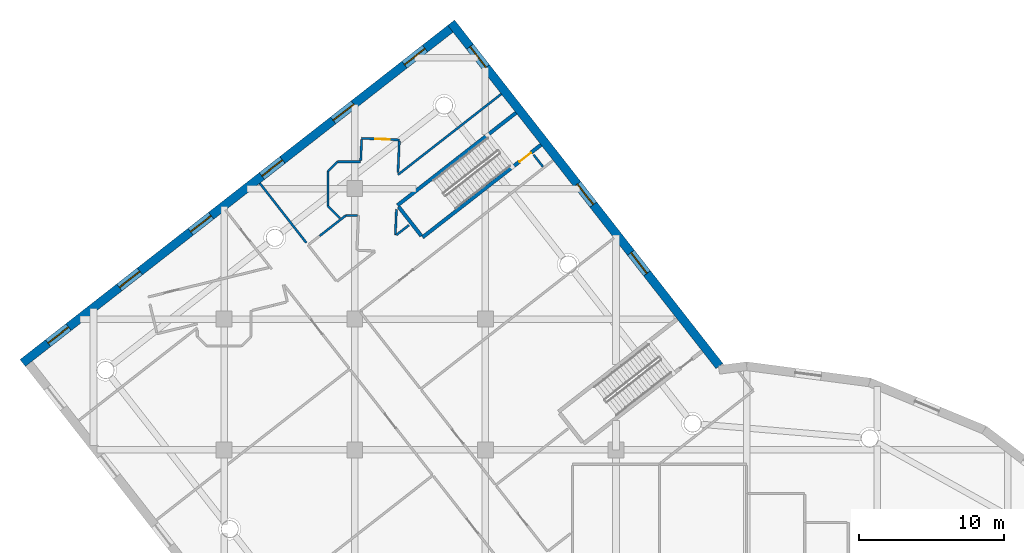
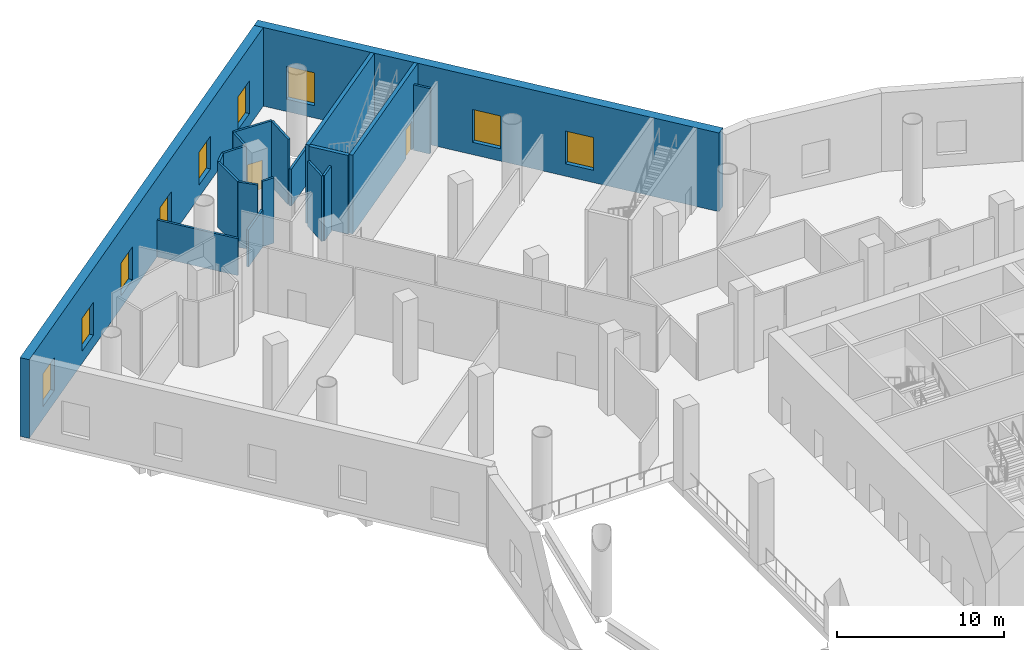
# One storey, part 10 of 24: 19 walls, 9 windows, 2 doors, 11 openings.
"""IFC4 building model written with IfcOpenShell, lengths in metres."""

from ifc_helpers import new_model, si_unit, direction, frame, frame_2d, origin, place, context, subcontext, project, spatial, rectangle, extrude, material, layer, layer_set, type_object, element, fill, save


model = new_model("IFC4")

# Units and contexts
model_context = context("Model", 3, precision=1e-05, world=origin(), true_north=direction((0.0, 1.0)))
body_context = subcontext(model_context, "Body", "Model", "MODEL_VIEW")
ifc_project = project(units=[si_unit("LENGTHUNIT", "METRE"), si_unit("AREAUNIT", "SQUARE_METRE"), si_unit("VOLUMEUNIT", "CUBIC_METRE"), si_unit("PLANEANGLEUNIT", "RADIAN"), si_unit("MASSUNIT", "GRAM", prefix="KILO")], contexts=[model_context])

# Site, building, storey
site_placement = place(None, origin())
site = spatial("IfcSite", under=ifc_project, at=site_placement, CompositionType="ELEMENT")
building_placement = place(site_placement, origin())
building = spatial("IfcBuilding", under=site, at=building_placement, Name="Tarsis Ring Headquarters", CompositionType="ELEMENT")
storey_placement = place(building_placement, frame((0.0, 0.0, 8.0)))
storey = spatial("IfcBuildingStorey", under=building, at=storey_placement, Name="L01", CompositionType="ELEMENT", Elevation=8.0)

# Walls
ifc_material_1 = material(Name="Plasterboard partition")
ifc_layer_1 = layer(ifc_material_1, 0.14990234375)
ifc_layer_set_1 = layer_set([ifc_layer_1], Name="PO-PW150")
wall_type_1 = type_object("IfcWallType", Name="PO-PW150", PredefinedType="PARTITIONING", material=ifc_layer_set_1)
wall_1_placement = place(storey_placement, frame((-24.02685546875, 45.947998046875, 0.0), z_axis=(0.0, 0.0, 1.0), x_axis=(0.788008823114, 0.615663946236, 0.0)))
element("IfcWall", 1, at=wall_1_placement, inside=storey, type_object=wall_type_1, Name="L01 partition wall 28", PredefinedType="PARTITIONING", context=body_context, shape_type="SweptSolid", body=[
    extrude(rectangle(XDim=9.044921875, YDim=0.14990234375, at=frame_2d((4.5224609375, 0.0))), origin(), (0.0, 0.0, 1.0), 2.699951171875),
])
wall_2_placement = place(storey_placement, frame((-30.337158203125, 41.264404296875, 0.0), z_axis=(0.0, 0.0, 1.0), x_axis=(-0.615634030884, 0.788032194785, 0.0)))
element("IfcWall", 2, at=wall_2_placement, inside=storey, type_object=wall_type_1, Name="L01 partition wall 54", PredefinedType="PARTITIONING", context=body_context, shape_type="SweptSolid", body=[
    extrude(rectangle(XDim=5.205810546875, YDim=0.14990234375, at=frame_2d((2.60302734375, 0.0))), origin(), (0.0, 0.0, 1.0), 2.699951171875),
])
wall_3_placement = place(storey_placement, frame((-27.608154296875, 43.14990234375, 0.0), z_axis=(0.0, 0.0, 1.0), x_axis=(-0.78805175681, -0.615608990017, 0.0)))
element("IfcWall", 3, at=wall_3_placement, inside=storey, type_object=wall_type_1, Name="L01 partition wall 87", PredefinedType="PARTITIONING", context=body_context, shape_type="SweptSolid", body=[
    extrude(rectangle(XDim=2.2978515625, YDim=0.14990234375, at=frame_2d((1.14892578125, 0.0))), origin(), (0.0, 0.0, 1.0), 2.699951171875),
])

# Wall, opening, door
ifc_layer_2 = layer(ifc_material_1, 0.14990234375)
ifc_layer_set_2 = layer_set([ifc_layer_2], Name="PO-PW150R-4783")
wall_type_2 = type_object("IfcWallType", Name="PO-PW150R-4783", PredefinedType="PARTITIONING", material=ifc_layer_set_2)
wall_4_placement = place(storey_placement, frame((-26.5234375, 48.461669921875, 0.0), z_axis=(0.0, 0.0, 1.0), x_axis=(0.999114750297, -0.042067989486, 0.0)))
wall_4 = element("IfcWall", 4, at=wall_4_placement, inside=storey, type_object=wall_type_2, Name="L01 partition wall 81", PredefinedType="PARTITIONING", context=body_context, shape_type="SweptSolid", body=[
    extrude(rectangle(XDim=2.599853515625, YDim=0.14990234375, at=frame_2d((1.2998046875, 0.0))), origin(), (0.0, 0.0, 1.0), 4.782958984375),
])
opening_1_placement = place(wall_4_placement, frame((0.9267578125, 0.0, 0.0)))
opening_1 = element("IfcOpeningElement", 5, at=opening_1_placement, cuts=wall_4, Name="Opening PO-D1", PredefinedType="OPENING", context=body_context, shape_type="SweptSolid", body=[
    extrude(rectangle(XDim=1.0, YDim=2.10009765625, at=frame_2d((0.5, 1.050048828125))), frame((0.0, 0.0849609375, 0.0), z_axis=(0.0, -1.0, 0.0), x_axis=(1.0, 0.0, 0.0)), (0.0, 0.0, 1.0), 0.169921875),
])
ifc_material_2 = material(Name="Timber door", Category="wood")
door_type_1 = type_object("IfcDoorType", Name="PO-D1000", OperationType="NOTDEFINED", PredefinedType="DOOR", material=ifc_material_2)
door_1_placement = place(opening_1_placement, origin())
door_1 = element("IfcDoor", 6, at=door_1_placement, inside=storey, type_object=door_type_1, Name="Servery door", OperationType="SINGLE_SWING_LEFT", OverallHeight=2.10009765625, OverallWidth=1.0, PredefinedType="DOOR", context=body_context, shape_type="SweptSolid", body=[
    extrude(rectangle(XDim=1.0, YDim=2.10009765625, at=frame_2d((0.5, 1.050048828125))), frame((0.0, 0.02490234375, 0.0), z_axis=(0.0, -1.0, 0.0), x_axis=(1.0, 0.0, 0.0)), (0.0, 0.0, 1.0), 0.050048828125),
])
fill(opening_1, door_1)

# Walls
wall_5_placement = place(storey_placement, frame((-23.92919921875, 48.272216796875, 0.0), z_axis=(0.0, 0.0, 1.0), x_axis=(-0.042007311823, -0.9991173033, 0.0)))
element("IfcWall", 7, at=wall_5_placement, inside=storey, type_object=wall_type_2, Name="L01 partition wall 82", PredefinedType="PARTITIONING", context=body_context, shape_type="SweptSolid", body=[
    extrude(rectangle(XDim=2.15625, YDim=0.14990234375, at=frame_2d((1.078125, 0.0))), origin(), (0.0, 0.0, 1.0), 4.782958984375),
])
wall_6_placement = place(storey_placement, frame((-28.85009765625, 43.800048828125, 0.0), z_axis=(0.0, 0.0, 1.0), x_axis=(0.0, 1.0, 0.0)))
element("IfcWall", 8, at=wall_6_placement, inside=storey, type_object=wall_type_2, Name="L01 partition wall 85", PredefinedType="PARTITIONING", context=body_context, shape_type="SweptSolid", body=[
    extrude(rectangle(XDim=2.39990234375, YDim=0.14990234375, at=frame_2d((1.199951171875, 0.0))), origin(), (0.0, 0.0, 1.0), 4.782958984375),
])
wall_7_placement = place(storey_placement, frame((-24.126953125, 43.5732421875, 0.0), z_axis=(0.0, 0.0, 1.0), x_axis=(-0.042065100552, -0.999114871932, 0.0)))
element("IfcWall", 9, at=wall_7_placement, inside=storey, type_object=wall_type_2, Name="L01 partition wall 98", PredefinedType="PARTITIONING", context=body_context, shape_type="SweptSolid", body=[
    extrude(rectangle(XDim=1.77587890625, YDim=0.14990234375, at=frame_2d((0.887939453125, 0.0))), origin(), (0.0, 0.0, 1.0), 4.782958984375),
])
wall_8_placement = place(storey_placement, frame((-26.587890625, 46.929931640625, 0.0), z_axis=(0.0, 0.0, 1.0), x_axis=(0.042007958128, 0.999117276126, 0.0)))
element("IfcWall", 10, at=wall_8_placement, inside=storey, type_object=wall_type_2, Name="L01 partition wall 100", PredefinedType="PARTITIONING", context=body_context, shape_type="SweptSolid", body=[
    extrude(rectangle(XDim=1.452880859375, YDim=0.14990234375, at=frame_2d((0.7265625, 0.0))), origin(), (0.0, 0.0, 1.0), 4.782958984375),
])
wall_9_placement = place(storey_placement, frame((-28.199951171875, 46.85009765625, 0.0), z_axis=(0.0, 0.0, 1.0), x_axis=(1.0, 0.0, 0.0)))
element("IfcWall", 11, at=wall_9_placement, inside=storey, type_object=wall_type_2, Name="L01 partition wall 101", PredefinedType="PARTITIONING", context=body_context, shape_type="SweptSolid", body=[
    extrude(rectangle(XDim=1.608642578125, YDim=0.14990234375, at=frame_2d((0.80419921875, 0.0))), origin(), (0.0, 0.0, 1.0), 4.782958984375),
])
wall_10_placement = place(storey_placement, frame((-28.004150390625, 42.9541015625, 0.0), z_axis=(0.0, 0.0, 1.0), x_axis=(-0.707106781187, 0.707106781187, 0.0)))
element("IfcWall", 12, at=wall_10_placement, inside=storey, type_object=wall_type_2, Name="L01 partition wall 105", PredefinedType="PARTITIONING", context=body_context, shape_type="SweptSolid", body=[
    extrude(rectangle(XDim=1.1962890625, YDim=0.14990234375, at=frame_2d((0.59814453125, 0.0))), origin(), (0.0, 0.0, 1.0), 4.782958984375),
])
wall_11_placement = place(storey_placement, frame((-14.677734375, 47.328857421875, 0.0), z_axis=(0.0, 0.0, 1.0), x_axis=(0.615558650251, -0.788091078557, 0.0)))
element("IfcWall", 13, at=wall_11_placement, inside=storey, type_object=wall_type_2, Name="L01 partition wall 111", PredefinedType="PARTITIONING", context=body_context, shape_type="SweptSolid", body=[
    extrude(rectangle(XDim=1.05419921875, YDim=0.14990234375, at=frame_2d((0.527099609375, 0.0))), origin(), (0.0, 0.0, 1.0), 4.782958984375),
])
wall_12_placement = place(storey_placement, frame((-24.141845703125, 41.794677734375, 0.0), z_axis=(0.0, 0.0, 1.0), x_axis=(0.788031066734, 0.615635474824, 0.0)))
element("IfcWall", 14, at=wall_12_placement, inside=storey, type_object=wall_type_2, Name="L01 partition wall 113", PredefinedType="PARTITIONING", context=body_context, shape_type="SweptSolid", body=[
    extrude(rectangle(XDim=1.10595703125, YDim=0.14990234375, at=frame_2d((0.552978515625, 0.0))), origin(), (0.0, 0.0, 1.0), 4.782958984375),
])
wall_13_placement = place(storey_placement, frame((-28.85009765625, 46.199951171875, 0.0), z_axis=(0.0, 0.0, 1.0), x_axis=(0.707106781187, 0.707106781187, 0.0)))
element("IfcWall", 15, at=wall_13_placement, inside=storey, type_object=wall_type_2, Name="L01 partition wall 117", PredefinedType="PARTITIONING", context=body_context, shape_type="SweptSolid", body=[
    extrude(rectangle(XDim=0.91943359375, YDim=0.14990234375, at=frame_2d((0.459716796875, 0.0))), origin(), (0.0, 0.0, 1.0), 4.782958984375),
])
wall_14_placement = place(storey_placement, frame((-26.8271484375, 43.14990234375, 0.0), z_axis=(0.0, 0.0, 1.0), x_axis=(-1.0, 0.0, 0.0)))
element("IfcWall", 16, at=wall_14_placement, inside=storey, type_object=wall_type_2, Name="L01 partition wall 119", PredefinedType="PARTITIONING", context=body_context, shape_type="SweptSolid", body=[
    extrude(rectangle(XDim=0.781005859375, YDim=0.14990234375, at=frame_2d((0.390625, 0.0))), origin(), (0.0, 0.0, 1.0), 4.782958984375),
])

# Wall, opening, door
ifc_material_3 = material(Name="Concrete C40/50", Category="concrete")
ifc_layer_3 = layer(ifc_material_3, 0.25)
ifc_layer_set_3 = layer_set([ifc_layer_3], Name="PO-W250")
wall_type_3 = type_object("IfcWallType", Name="PO-W250", PredefinedType="SOLIDWALL", material=ifc_layer_set_3)
wall_15_placement = place(storey_placement, frame((-14.163818359375, 48.015380859375, 0.0), z_axis=(0.0, 0.0, 1.0), x_axis=(-0.788278990398, -0.61531799364, 0.0)))
wall_15 = element("IfcWall", 17, at=wall_15_placement, inside=storey, type_object=wall_type_3, Name="L01 shaft wall 18", PredefinedType="SOLIDWALL", context=body_context, shape_type="SweptSolid", body=[
    extrude(rectangle(XDim=10.362060546875, YDim=0.25, at=frame_2d((5.18115234375, 0.0))), origin(), (0.0, 0.0, 1.0), 5.75),
])
opening_2_placement = place(wall_15_placement, frame((0.89697265625, 0.0, 0.0)))
opening_2 = element("IfcOpeningElement", 18, at=opening_2_placement, cuts=wall_15, Name="Opening PO-D3", PredefinedType="OPENING", context=body_context, shape_type="SweptSolid", body=[
    extrude(rectangle(XDim=1.0, YDim=2.10009765625, at=frame_2d((0.5, 1.050048828125))), frame((0.0, 0.135009765625, 0.0), z_axis=(0.0, -1.0, 0.0), x_axis=(1.0, 0.0, 0.0)), (0.0, 0.0, 1.0), 0.27001953125),
])
ifc_material_4 = material(Name="Steel fire door", Category="steel")
door_type_2 = type_object("IfcDoorType", Name="PO-D1000F", OperationType="SINGLE_SWING_LEFT", PredefinedType="DOOR", material=ifc_material_4)
door_2_placement = place(opening_2_placement, origin())
door_2 = element("IfcDoor", 19, at=door_2_placement, inside=storey, type_object=door_type_2, Name="Exit stair 4 door", OperationType="SINGLE_SWING_LEFT", OverallHeight=2.10009765625, OverallWidth=1.0, PredefinedType="DOOR", context=body_context, shape_type="SweptSolid", body=[
    extrude(rectangle(XDim=1.0, YDim=2.10009765625, at=frame_2d((0.5, 1.050048828125))), frame((0.0, 0.02490234375, 0.0), z_axis=(0.0, -1.0, 0.0), x_axis=(1.0, 0.0, 0.0)), (0.0, 0.0, 1.0), 0.050048828125),
])
fill(opening_2, door_2)

# Walls
wall_16_placement = place(storey_placement, frame((-24.054931640625, 43.8466796875, 0.0), z_axis=(0.0, 0.0, 1.0), x_axis=(0.788277592166, 0.615319784899, 0.0)))
element("IfcWall", 20, at=wall_16_placement, inside=storey, type_object=wall_type_3, Name="L01 shaft wall 19", PredefinedType="SOLIDWALL", context=body_context, shape_type="SweptSolid", body=[
    extrude(rectangle(XDim=10.36083984375, YDim=0.25, at=frame_2d((5.180419921875, 0.0))), origin(), (0.0, 0.0, 1.0), 5.75),
])
wall_17_placement = place(storey_placement, frame((-22.412109375, 41.741943359375, 0.0), z_axis=(0.0, 0.0, 1.0), x_axis=(-0.615283967859, 0.788305549197, 0.0)))
element("IfcWall", 21, at=wall_17_placement, inside=storey, type_object=wall_type_3, Name="L01 shaft wall 78", PredefinedType="SOLIDWALL", context=body_context, shape_type="SweptSolid", body=[
    extrude(rectangle(XDim=2.539794921875, YDim=0.25, at=frame_2d((1.27001953125, 0.0))), origin(), (0.0, 0.0, 1.0), 5.75),
])

# Wall, openings, windows
ifc_material_5 = material(Name="Concrete C60/75", Category="concrete")
ifc_layer_4 = layer(ifc_material_5, 0.60009765625)
ifc_layer_set_4 = layer_set([ifc_layer_4], Name="PO-W600")
wall_type_4 = type_object("IfcWallType", Name="PO-W600", PredefinedType="SOLIDWALL", material=ifc_layer_set_4)
wall_18_placement = place(storey_placement, frame((-1.87353515625, 32.77197265625, 0.0), z_axis=(0.0, 0.0, 1.0), x_axis=(-0.615664714742, 0.788008222687, 0.0)))
wall_18 = element("IfcWall", 22, at=wall_18_placement, inside=storey, type_object=wall_type_4, Name="L01 external wall 23", PredefinedType="SOLIDWALL", context=body_context, shape_type="SweptSolid", body=[
    extrude(rectangle(XDim=30.02197265625, YDim=0.60009765625, at=frame_2d((15.010986328125, 0.0))), origin(), (0.0, 0.0, 1.0), 5.75),
])
opening_3_placement = place(wall_18_placement, frame((8.106689453125, 0.0, 0.89990234375)))
opening_3 = element("IfcOpeningElement", 23, at=opening_3_placement, cuts=wall_18, Name="Opening PO-WN1", PredefinedType="OPENING", context=body_context, shape_type="SweptSolid", body=[
    extrude(rectangle(XDim=1.800048828125, YDim=2.39990234375, at=frame_2d((0.89990234375, 1.199951171875))), frame((0.0, 0.31005859375, 0.0), z_axis=(0.0, -1.0, 0.0), x_axis=(1.0, 0.0, 0.0)), (0.0, 0.0, 1.0), 0.6201171875),
])
opening_4_placement = place(wall_18_placement, frame((14.111083984375, 0.0, 0.89990234375)))
opening_4 = element("IfcOpeningElement", 24, at=opening_4_placement, cuts=wall_18, Name="Opening PO-WN1", PredefinedType="OPENING", context=body_context, shape_type="SweptSolid", body=[
    extrude(rectangle(XDim=1.800048828125, YDim=2.39990234375, at=frame_2d((0.89990234375, 1.199951171875))), frame((0.0, 0.31005859375, 0.0), z_axis=(0.0, -1.0, 0.0), x_axis=(1.0, 0.0, 0.0)), (0.0, 0.0, 1.0), 0.6201171875),
])
opening_5_placement = place(wall_18_placement, frame((26.11962890625, 0.0, 0.89990234375)))
opening_5 = element("IfcOpeningElement", 25, at=opening_5_placement, cuts=wall_18, Name="Opening PO-WN1", PredefinedType="OPENING", context=body_context, shape_type="SweptSolid", body=[
    extrude(rectangle(XDim=1.800048828125, YDim=2.39990234375, at=frame_2d((0.89990234375, 1.199951171875))), frame((0.0, 0.31005859375, 0.0), z_axis=(0.0, -1.0, 0.0), x_axis=(1.0, 0.0, 0.0)), (0.0, 0.0, 1.0), 0.6201171875),
])
ifc_material_6 = material(Name="Double glazing", Category="glass")
window_type = type_object("IfcWindowType", Name="PO-WN1800", PartitioningType="SINGLE_PANEL", PredefinedType="WINDOW", material=ifc_material_6)
window_1_placement = place(opening_3_placement, origin())
window_1 = element("IfcWindow", 26, at=window_1_placement, inside=storey, type_object=window_type, Name="L01 window 23.1", OverallHeight=2.39990234375, OverallWidth=1.800048828125, PartitioningType="SINGLE_PANEL", PredefinedType="WINDOW", context=body_context, shape_type="SweptSolid", body=[
    extrude(rectangle(XDim=1.800048828125, YDim=2.39990234375, at=frame_2d((0.89990234375, 1.199951171875))), frame((0.0, 0.030029296875, 0.0), z_axis=(0.0, -1.0, 0.0), x_axis=(1.0, 0.0, 0.0)), (0.0, 0.0, 1.0), 0.06005859375),
])
fill(opening_3, window_1)
window_2_placement = place(opening_4_placement, origin())
window_2 = element("IfcWindow", 27, at=window_2_placement, inside=storey, type_object=window_type, Name="L01 window 23.2", OverallHeight=2.39990234375, OverallWidth=1.800048828125, PartitioningType="SINGLE_PANEL", PredefinedType="WINDOW", context=body_context, shape_type="SweptSolid", body=[
    extrude(rectangle(XDim=1.800048828125, YDim=2.39990234375, at=frame_2d((0.89990234375, 1.199951171875))), frame((0.0, 0.030029296875, 0.0), z_axis=(0.0, -1.0, 0.0), x_axis=(1.0, 0.0, 0.0)), (0.0, 0.0, 1.0), 0.06005859375),
])
fill(opening_4, window_2)
window_3_placement = place(opening_5_placement, origin())
window_3 = element("IfcWindow", 28, at=window_3_placement, inside=storey, type_object=window_type, Name="L01 window 23.3", OverallHeight=2.39990234375, OverallWidth=1.800048828125, PartitioningType="SINGLE_PANEL", PredefinedType="WINDOW", context=body_context, shape_type="SweptSolid", body=[
    extrude(rectangle(XDim=1.800048828125, YDim=2.39990234375, at=frame_2d((0.89990234375, 1.199951171875))), frame((0.0, 0.030029296875, 0.0), z_axis=(0.0, -1.0, 0.0), x_axis=(1.0, 0.0, 0.0)), (0.0, 0.0, 1.0), 0.06005859375),
])
fill(opening_5, window_3)

wall_19_placement = place(storey_placement, frame((-20.40869140625, 56.00830078125, 0.0), z_axis=(0.0, 0.0, 1.0), x_axis=(-0.788010419186, -0.615661903365, 0.0)))
wall_19 = element("IfcWall", 29, at=wall_19_placement, inside=storey, type_object=wall_type_4, Name="L01 external wall 24", PredefinedType="SOLIDWALL", context=body_context, shape_type="SweptSolid", body=[
    extrude(rectangle(XDim=37.39990234375, YDim=0.60009765625, at=frame_2d((18.699951171875, 0.0))), origin(), (0.0, 0.0, 1.0), 5.75),
])
opening_6_placement = place(wall_19_placement, frame((2.216552734375, 0.0, 0.89990234375)))
opening_6 = element("IfcOpeningElement", 30, at=opening_6_placement, cuts=wall_19, Name="Opening PO-WN1", PredefinedType="OPENING", context=body_context, shape_type="SweptSolid", body=[
    extrude(rectangle(XDim=1.800048828125, YDim=2.39990234375, at=frame_2d((0.89990234375, 1.199951171875))), frame((0.0, 0.31005859375, 0.0), z_axis=(0.0, -1.0, 0.0), x_axis=(1.0, 0.0, 0.0)), (0.0, 0.0, 1.0), 0.6201171875),
])
opening_7_placement = place(wall_19_placement, frame((8.449951171875, 0.0, 0.89990234375)))
opening_7 = element("IfcOpeningElement", 31, at=opening_7_placement, cuts=wall_19, Name="Opening PO-WN1", PredefinedType="OPENING", context=body_context, shape_type="SweptSolid", body=[
    extrude(rectangle(XDim=1.800048828125, YDim=2.39990234375, at=frame_2d((0.89990234375, 1.199951171875))), frame((0.0, 0.31005859375, 0.0), z_axis=(0.0, -1.0, 0.0), x_axis=(1.0, 0.0, 0.0)), (0.0, 0.0, 1.0), 0.6201171875),
])
opening_8_placement = place(wall_19_placement, frame((14.683349609375, 0.0, 0.89990234375)))
opening_8 = element("IfcOpeningElement", 32, at=opening_8_placement, cuts=wall_19, Name="Opening PO-WN1", PredefinedType="OPENING", context=body_context, shape_type="SweptSolid", body=[
    extrude(rectangle(XDim=1.800048828125, YDim=2.39990234375, at=frame_2d((0.89990234375, 1.199951171875))), frame((0.0, 0.31005859375, 0.0), z_axis=(0.0, -1.0, 0.0), x_axis=(1.0, 0.0, 0.0)), (0.0, 0.0, 1.0), 0.6201171875),
])
opening_9_placement = place(wall_19_placement, frame((20.916748046875, 0.0, 0.89990234375)))
opening_9 = element("IfcOpeningElement", 33, at=opening_9_placement, cuts=wall_19, Name="Opening PO-WN1", PredefinedType="OPENING", context=body_context, shape_type="SweptSolid", body=[
    extrude(rectangle(XDim=1.800048828125, YDim=2.39990234375, at=frame_2d((0.89990234375, 1.199951171875))), frame((0.0, 0.31005859375, 0.0), z_axis=(0.0, -1.0, 0.0), x_axis=(1.0, 0.0, 0.0)), (0.0, 0.0, 1.0), 0.6201171875),
])
opening_10_placement = place(wall_19_placement, frame((27.14990234375, 0.0, 0.89990234375)))
opening_10 = element("IfcOpeningElement", 34, at=opening_10_placement, cuts=wall_19, Name="Opening PO-WN1", PredefinedType="OPENING", context=body_context, shape_type="SweptSolid", body=[
    extrude(rectangle(XDim=1.800048828125, YDim=2.39990234375, at=frame_2d((0.89990234375, 1.199951171875))), frame((0.0, 0.31005859375, 0.0), z_axis=(0.0, -1.0, 0.0), x_axis=(1.0, 0.0, 0.0)), (0.0, 0.0, 1.0), 0.6201171875),
])
opening_11_placement = place(wall_19_placement, frame((33.38330078125, 0.0, 0.89990234375)))
opening_11 = element("IfcOpeningElement", 35, at=opening_11_placement, cuts=wall_19, Name="Opening PO-WN1", PredefinedType="OPENING", context=body_context, shape_type="SweptSolid", body=[
    extrude(rectangle(XDim=1.800048828125, YDim=2.39990234375, at=frame_2d((0.89990234375, 1.199951171875))), frame((0.0, 0.31005859375, 0.0), z_axis=(0.0, -1.0, 0.0), x_axis=(1.0, 0.0, 0.0)), (0.0, 0.0, 1.0), 0.6201171875),
])
window_4_placement = place(opening_6_placement, origin())
window_4 = element("IfcWindow", 36, at=window_4_placement, inside=storey, type_object=window_type, Name="L01 window 24.1", OverallHeight=2.39990234375, OverallWidth=1.800048828125, PartitioningType="SINGLE_PANEL", PredefinedType="WINDOW", context=body_context, shape_type="SweptSolid", body=[
    extrude(rectangle(XDim=1.800048828125, YDim=2.39990234375, at=frame_2d((0.89990234375, 1.199951171875))), frame((0.0, 0.030029296875, 0.0), z_axis=(0.0, -1.0, 0.0), x_axis=(1.0, 0.0, 0.0)), (0.0, 0.0, 1.0), 0.06005859375),
])
fill(opening_6, window_4)
window_5_placement = place(opening_7_placement, origin())
window_5 = element("IfcWindow", 37, at=window_5_placement, inside=storey, type_object=window_type, Name="L01 window 24.2", OverallHeight=2.39990234375, OverallWidth=1.800048828125, PartitioningType="SINGLE_PANEL", PredefinedType="WINDOW", context=body_context, shape_type="SweptSolid", body=[
    extrude(rectangle(XDim=1.800048828125, YDim=2.39990234375, at=frame_2d((0.89990234375, 1.199951171875))), frame((0.0, 0.030029296875, 0.0), z_axis=(0.0, -1.0, 0.0), x_axis=(1.0, 0.0, 0.0)), (0.0, 0.0, 1.0), 0.06005859375),
])
fill(opening_7, window_5)
window_6_placement = place(opening_8_placement, origin())
window_6 = element("IfcWindow", 38, at=window_6_placement, inside=storey, type_object=window_type, Name="L01 window 24.3", OverallHeight=2.39990234375, OverallWidth=1.800048828125, PartitioningType="SINGLE_PANEL", PredefinedType="WINDOW", context=body_context, shape_type="SweptSolid", body=[
    extrude(rectangle(XDim=1.800048828125, YDim=2.39990234375, at=frame_2d((0.89990234375, 1.199951171875))), frame((0.0, 0.030029296875, 0.0), z_axis=(0.0, -1.0, 0.0), x_axis=(1.0, 0.0, 0.0)), (0.0, 0.0, 1.0), 0.06005859375),
])
fill(opening_8, window_6)
window_7_placement = place(opening_9_placement, origin())
window_7 = element("IfcWindow", 39, at=window_7_placement, inside=storey, type_object=window_type, Name="L01 window 24.4", OverallHeight=2.39990234375, OverallWidth=1.800048828125, PartitioningType="SINGLE_PANEL", PredefinedType="WINDOW", context=body_context, shape_type="SweptSolid", body=[
    extrude(rectangle(XDim=1.800048828125, YDim=2.39990234375, at=frame_2d((0.89990234375, 1.199951171875))), frame((0.0, 0.030029296875, 0.0), z_axis=(0.0, -1.0, 0.0), x_axis=(1.0, 0.0, 0.0)), (0.0, 0.0, 1.0), 0.06005859375),
])
fill(opening_9, window_7)
window_8_placement = place(opening_10_placement, origin())
window_8 = element("IfcWindow", 40, at=window_8_placement, inside=storey, type_object=window_type, Name="L01 window 24.5", OverallHeight=2.39990234375, OverallWidth=1.800048828125, PartitioningType="SINGLE_PANEL", PredefinedType="WINDOW", context=body_context, shape_type="SweptSolid", body=[
    extrude(rectangle(XDim=1.800048828125, YDim=2.39990234375, at=frame_2d((0.89990234375, 1.199951171875))), frame((0.0, 0.030029296875, 0.0), z_axis=(0.0, -1.0, 0.0), x_axis=(1.0, 0.0, 0.0)), (0.0, 0.0, 1.0), 0.06005859375),
])
fill(opening_10, window_8)
window_9_placement = place(opening_11_placement, origin())
window_9 = element("IfcWindow", 41, at=window_9_placement, inside=storey, type_object=window_type, Name="L01 window 24.6", OverallHeight=2.39990234375, OverallWidth=1.800048828125, PartitioningType="SINGLE_PANEL", PredefinedType="WINDOW", context=body_context, shape_type="SweptSolid", body=[
    extrude(rectangle(XDim=1.800048828125, YDim=2.39990234375, at=frame_2d((0.89990234375, 1.199951171875))), frame((0.0, 0.030029296875, 0.0), z_axis=(0.0, -1.0, 0.0), x_axis=(1.0, 0.0, 0.0)), (0.0, 0.0, 1.0), 0.06005859375),
])
fill(opening_11, window_9)

save(model, "model.ifc")
